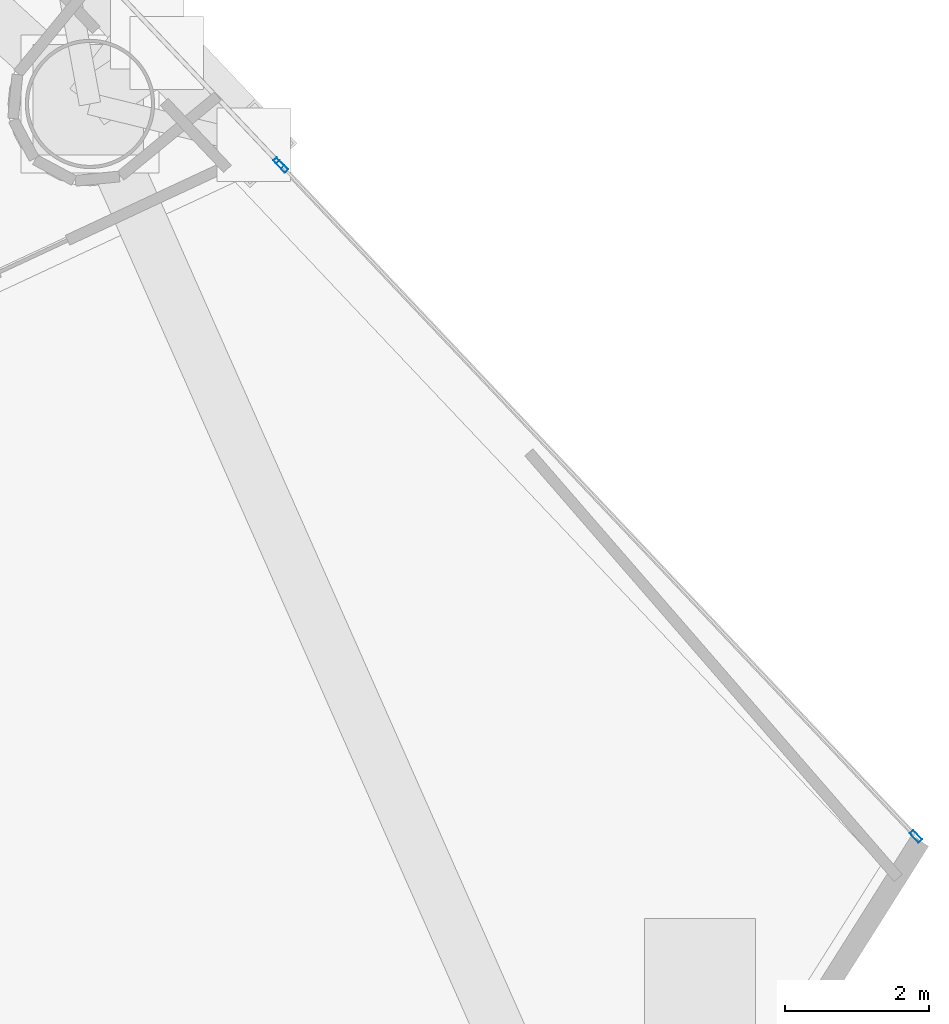
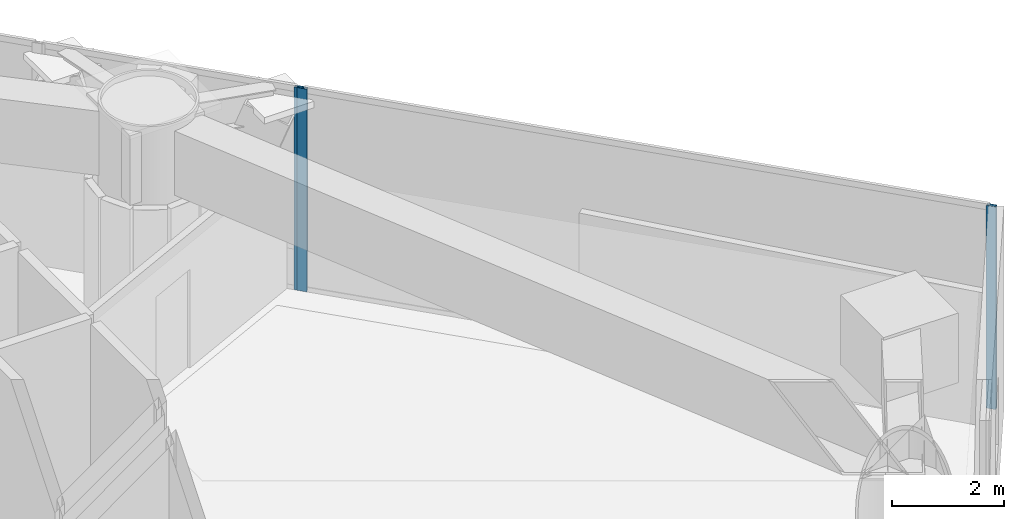
# One storey, part 14 of 22: 3 members, 2 elements without a shape of their own.
"""IFC4 building model written with IfcOpenShell, lengths in metres."""

from ifc_helpers import new_model, si_unit, direction, frame, origin, origin_2d, place, context, subcontext, project, spatial, hollow_rectangle, extrude, material, layer, layer_set, material_profile, profile_set, type_object, element, aggregate, save


model = new_model("IFC4")

# Units and contexts
model_context = context("Model", 3, precision=1e-05, world=origin(), true_north=direction((0.0, 1.0)))
body_context = subcontext(model_context, "Body", "Model", "MODEL_VIEW")
ifc_project = project(units=[si_unit("LENGTHUNIT", "METRE"), si_unit("AREAUNIT", "SQUARE_METRE"), si_unit("VOLUMEUNIT", "CUBIC_METRE"), si_unit("PLANEANGLEUNIT", "RADIAN"), si_unit("MASSUNIT", "GRAM", prefix="KILO")], contexts=[model_context])

# Site, building, storey
site_placement = place(None, origin())
site = spatial("IfcSite", under=ifc_project, at=site_placement, CompositionType="ELEMENT")
building_placement = place(site_placement, origin())
building = spatial("IfcBuilding", under=site, at=building_placement, Name="Qianvela Tower", CompositionType="ELEMENT")
storey_placement = place(building_placement, frame((0.0, 0.0, 47.89990234375)))
storey = spatial("IfcBuildingStorey", under=building, at=storey_placement, Name="L11", CompositionType="ELEMENT", Elevation=47.89990234375)

# Curtain wall, member
ifc_material_1 = material(Name="Anodised Architectural Aluminium and Insulated Spandrel Panel", Category="aluminium")
ifc_layer_1 = layer(ifc_material_1, 0.179931640625)
ifc_layer_set_1 = layer_set([ifc_layer_1], Name="Anodised Architectural Aluminium and Insulated Spandrel Panel")
curtain_wall_type_1 = type_object("IfcCurtainWallType", Name="CW-BRACEBAY", PredefinedType="USERDEFINED", material=ifc_layer_set_1)
curtain_wall_1_placement = place(storey_placement, origin())
curtain_wall_1 = element("IfcCurtainWall", 1, at=curtain_wall_1_placement, inside=storey, type_object=curtain_wall_type_1, Name="L11 CW-BRACEBAY Curtain Wall 02B", ObjectType="CURTAIN_WALL_SYSTEM", PredefinedType="USERDEFINED")
ifc_material_2 = material(Name="Anodised Architectural Aluminium 6063-T6", Category="aluminium")
ifc_material_profile_1 = material_profile(ifc_material_2, hollow_rectangle(XDim=0.06494140625, YDim=0.159912109375, WallThickness=0.0048828125, at=origin_2d()), Name="ALU-MULL-65x160")
ifc_profile_set_1 = profile_set([ifc_material_profile_1], Name="Anodised Architectural Aluminium 6063-T6")
member_type_1 = type_object("IfcMemberType", Name="CW-BRACEBAY-MULL", PredefinedType="MULLION", material=ifc_profile_set_1)
member_1_placement = place(storey_placement, frame((50.364990234375, 31.81591796875, 0.0), z_axis=(0.0, 0.0, 1.0), x_axis=(-0.726504433133, -0.687161777632, 0.0)))
member_1 = element("IfcMember", 2, at=member_1_placement, type_object=member_type_1, Name="CW-9 mullion 1", PredefinedType="MULLION", context=body_context, shape_type="SweptSolid", body=[
    extrude(hollow_rectangle(XDim=0.06494140625, YDim=0.159912109375, WallThickness=0.0048828125, at=origin_2d()), origin(), (0.0, 0.0, 1.0), 4.420166015625),
])
aggregate(curtain_wall_1, [member_1])

# Curtain wall, members
ifc_material_3 = material(Name="Anodised Architectural Aluminium and Low-E Glass", Category="aluminium")
ifc_layer_2 = layer(ifc_material_3, 0.179931640625)
ifc_layer_set_2 = layer_set([ifc_layer_2], Name="Anodised Architectural Aluminium and Low-E Glass")
curtain_wall_type_2 = type_object("IfcCurtainWallType", Name="CW-COLIV-Z12", PredefinedType="USERDEFINED", material=ifc_layer_set_2)
curtain_wall_2_placement = place(storey_placement, origin())
curtain_wall_2 = element("IfcCurtainWall", 3, at=curtain_wall_2_placement, inside=storey, type_object=curtain_wall_type_2, Name="L11 CW-COLIV-Z12 Curtain Wall 02A", ObjectType="CURTAIN_WALL_SYSTEM", PredefinedType="USERDEFINED")
ifc_material_4 = material(Name="Anodised Architectural Aluminium 6063-T6", Category="aluminium")
ifc_material_profile_2 = material_profile(ifc_material_4, hollow_rectangle(XDim=0.070068359375, YDim=0.179931640625, WallThickness=0.0048828125, at=origin_2d()), Name="ALU-MULL-70x180")
ifc_profile_set_2 = profile_set([ifc_material_profile_2], Name="Anodised Architectural Aluminium 6063-T6")
member_type_2 = type_object("IfcMemberType", Name="CW-COLIV-Z12-MULL", PredefinedType="MULLION", material=ifc_profile_set_2)
member_2_placement = place(storey_placement, frame((59.23486328125, 22.438720703125, 0.0), z_axis=(0.0, 0.0, 1.0), x_axis=(-0.726492663656, -0.687174220743, 0.0)))
member_2 = element("IfcMember", 4, at=member_2_placement, type_object=member_type_2, Name="CW-3 mullion 1", PredefinedType="MULLION", context=body_context, shape_type="SweptSolid", body=[
    extrude(hollow_rectangle(XDim=0.070068359375, YDim=0.179931640625, WallThickness=0.0048828125, at=origin_2d()), origin(), (0.0, 0.0, 1.0), 4.420166015625),
])
member_3_placement = place(storey_placement, frame((50.411376953125, 31.766845703125, 0.0), z_axis=(0.0, 0.0, 1.0), x_axis=(-0.726492663656, -0.687174220743, 0.0)))
member_3 = element("IfcMember", 5, at=member_3_placement, type_object=member_type_2, Name="CW-3 mullion 2", PredefinedType="MULLION", context=body_context, shape_type="SweptSolid", body=[
    extrude(hollow_rectangle(XDim=0.070068359375, YDim=0.179931640625, WallThickness=0.0048828125, at=origin_2d()), origin(), (0.0, 0.0, 1.0), 4.420166015625),
])
aggregate(curtain_wall_2, [member_2, member_3])

save(model, "model.ifc")
